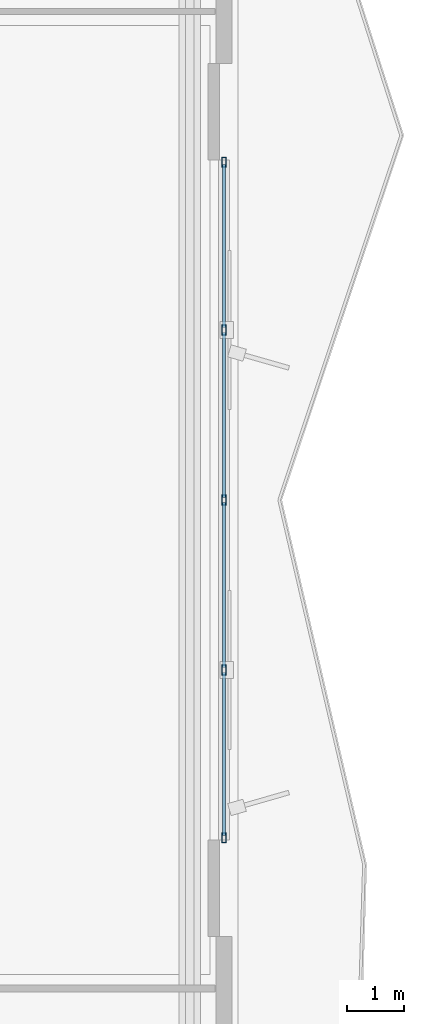
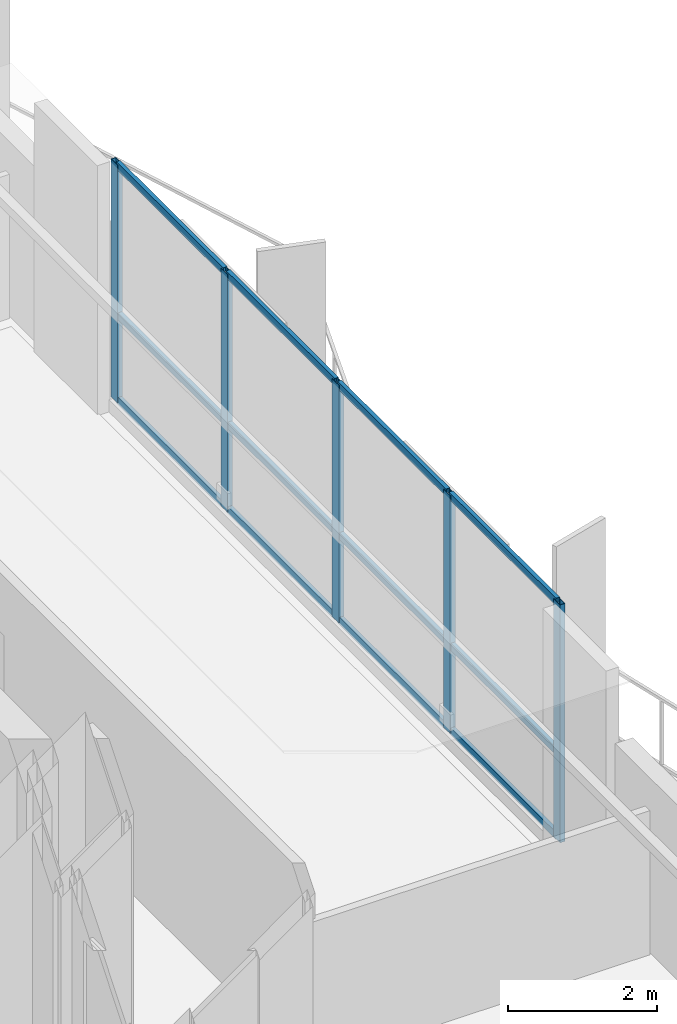
# One storey, part 6 of 16: 17 members, 1 element without a shape of its own.
"""IFC4 building model written with IfcOpenShell, lengths in metres."""

import ifcopenshell
import ifcopenshell.guid

model = None  # the IFC model being written
_history = None  # IfcOwnerHistory: only IFC2X3 demands one
_inside = {}  # id of a spatial element -> (the spatial element, [elements in it])
_under = {}  # id of a project, library or spatial element -> (it, [spatial elements below it])
_declared = {}  # id of a project -> (the project, [libraries it declares])
_typed = {}  # id of a type object -> (the type object, [elements of that type])
_made_of = {}  # id of a material, layer set ... -> (it, [elements and type objects made of it])


def new_model(schema):
    """Start an empty IFC model of exactly this schema.

    Asked for "IFC4X3", IfcOpenShell would pick the latest addendum, in which some entities
    have other attributes; the version numbers below select the first issue.
    IFC2X3 requires an IfcOwnerHistory on every rooted entity: one is made here for all.
    """
    global model, _history
    if schema == "IFC4X3":
        model = ifcopenshell.file(schema_version=(4, 3, 0, 0))
    else:
        model = ifcopenshell.file(schema=schema)
    _inside.clear()
    _under.clear()
    _declared.clear()
    _typed.clear()
    _made_of.clear()
    _history = None
    if model.schema == "IFC2X3":
        org = make("IfcOrganization", Name="unknown")
        user = make(
            "IfcPersonAndOrganization",
            ThePerson=make("IfcPerson", FamilyName="unknown"),
            TheOrganization=org,
        )
        app = make(
            "IfcApplication",
            ApplicationDeveloper=org,
            Version="unknown",
            ApplicationFullName="unknown",
            ApplicationIdentifier="unknown",
        )
        _history = make(
            "IfcOwnerHistory",
            OwningUser=user,
            OwningApplication=app,
            ChangeAction="ADDED",
            CreationDate=0,
        )
    return model


def make(cls, **values):
    """One entity of the class cls with the attributes given. An attribute that is None is left unset."""
    return model.create_entity(
        cls, **{name: value for name, value in values.items() if value is not None}
    )


def rooted(cls, **values):
    """An entity with a GlobalId (a new one), such as an element, a storey or a relation."""
    return make(cls, GlobalId=ifcopenshell.guid.new(), OwnerHistory=_history, **values)


def si_unit(unit_type, name, prefix=None):
    """IfcSIUnit, for example si_unit("LENGTHUNIT", "METRE", prefix="MILLI")."""
    return make("IfcSIUnit", UnitType=unit_type, Prefix=prefix, Name=name)


def assignment(units):
    """IfcUnitAssignment: the units of a project."""
    return None if units is None else make("IfcUnitAssignment", Units=units)


def point(xyz):
    """IfcCartesianPoint."""
    return None if xyz is None else make("IfcCartesianPoint", Coordinates=xyz)


def direction(xyz):
    """IfcDirection."""
    return None if xyz is None else make("IfcDirection", DirectionRatios=xyz)


def frame(location, z_axis=None, x_axis=None):
    """IfcAxis2Placement3D, a coordinate frame: its origin and axes. An axis left out is left unset."""
    return make(
        "IfcAxis2Placement3D",
        Location=point(location),
        Axis=direction(z_axis),
        RefDirection=direction(x_axis),
    )


def frame_2d(location, x_axis=None):
    """IfcAxis2Placement2D, a coordinate frame in the plane: its origin and x axis."""
    return make(
        "IfcAxis2Placement2D", Location=point(location), RefDirection=direction(x_axis)
    )


def origin():
    """The frame at (0, 0, 0) with its axes left unset."""
    return frame((0.0, 0.0, 0.0))


def origin_2d():
    """The frame at (0, 0) in the plane with its x axis left unset."""
    return frame_2d((0.0, 0.0))


def place(relative_to, where):
    """IfcLocalPlacement: puts the frame where relative to a parent placement (None: the world)."""
    return make(
        "IfcLocalPlacement", PlacementRelTo=relative_to, RelativePlacement=where
    )


def context(
    kind, dimensions, precision=None, world=None, true_north=None, identifier=None
):
    """IfcGeometricRepresentationContext, for example the 3D "Model" context."""
    return make(
        "IfcGeometricRepresentationContext",
        ContextIdentifier=identifier,
        ContextType=kind,
        CoordinateSpaceDimension=dimensions,
        Precision=precision,
        WorldCoordinateSystem=world,
        TrueNorth=true_north,
    )


def subcontext(parent, identifier, kind, view, scale=None):
    """IfcGeometricRepresentationSubContext, for example "Body" below "Model"."""
    return make(
        "IfcGeometricRepresentationSubContext",
        ContextIdentifier=identifier,
        ContextType=kind,
        ParentContext=parent,
        TargetScale=scale,
        TargetView=view,
    )


def project(units=None, contexts=None):
    """IfcProject with its units and contexts."""
    return rooted(
        "IfcProject",
        Name="project",
        RepresentationContexts=contexts,
        UnitsInContext=assignment(units),
    )


def spatial(cls, under=None, at=None, **own):
    """A site, building, storey or space (cls), placed at a placement, below another one or the project."""
    s = rooted(cls, ObjectPlacement=at, **own)
    if under is not None:
        _under.setdefault(under.id(), (under, []))[1].append(s)
    return s


def profile(cls, at=None, kind="AREA", **sizes):
    """A parametric profile (cls). Its sizes go by their IFC names, for example OverallWidth=200.0."""
    return make(cls, ProfileType=kind, Position=at, **sizes)


def hollow_rectangle(**sizes):
    """IfcRectangleHollowProfileDef."""
    return profile("IfcRectangleHollowProfileDef", **sizes)


def extrude(swept, where, along, depth):
    """IfcExtrudedAreaSolid: the profile swept, set in the frame where, extruded along a direction by depth."""
    return make(
        "IfcExtrudedAreaSolid",
        SweptArea=swept,
        Position=where,
        ExtrudedDirection=direction(along),
        Depth=depth,
    )


def shape(context_of_items, identifier, shape_type, items):
    """IfcShapeRepresentation: the items that make up one representation, for example the "Body"."""
    return make(
        "IfcShapeRepresentation",
        ContextOfItems=context_of_items,
        RepresentationIdentifier=identifier,
        RepresentationType=shape_type,
        Items=items,
    )


def material(Name=None, Category=None):
    """IfcMaterial."""
    return make("IfcMaterial", Name=Name, Category=Category)


def layer(
    of_material, thickness, ventilated=None, Name=None, Category=None, Priority=None
):
    """IfcMaterialLayer: one layer of a wall or slab, of a material (None: an air gap)."""
    return make(
        "IfcMaterialLayer",
        Material=of_material,
        LayerThickness=thickness,
        IsVentilated=ventilated,
        Name=Name,
        Category=Category,
        Priority=Priority,
    )


def layer_set(layers, Name=None):
    """IfcMaterialLayerSet."""
    return make("IfcMaterialLayerSet", MaterialLayers=layers, LayerSetName=Name)


def material_profile(
    of_material, cross_section, Name=None, Category=None, Priority=None
):
    """IfcMaterialProfile: a cross section and its material."""
    return make(
        "IfcMaterialProfile",
        Name=Name,
        Material=of_material,
        Profile=cross_section,
        Priority=Priority,
        Category=Category,
    )


def profile_set(profiles, Name=None, composite=None):
    """IfcMaterialProfileSet."""
    return make(
        "IfcMaterialProfileSet",
        Name=Name,
        MaterialProfiles=profiles,
        CompositeProfile=composite,
    )


def made_of(thing, what):
    """Note that an element or type object is made of a material, layer set ...; save() writes the relation."""
    if what is not None:
        _made_of.setdefault(what.id(), (what, []))[1].append(thing)
    return thing


def type_object(cls, material=None, **own):
    """A type object (cls), such as IfcWallType, which elements share."""
    return made_of(rooted(cls, **own), material)


def element(
    cls,
    number,
    at=None,
    inside=None,
    cuts=None,
    type_object=None,
    material=None,
    context=None,
    identifier="Body",
    shape_type=None,
    held_by="IfcProductDefinitionShape",
    body=None,
    shapes=None,
    **own,
):
    """One element of the class cls, such as IfcWall. Its Tag is "e" and its number.

    at: its placement. inside: the storey or other place that contains it. cuts: it is an
    opening in that element (IfcRelVoidsElement). A single representation is given by context,
    identifier, shape_type and body (its items); several are given by shapes. held_by: the class
    of the entity that holds the representations. save() writes the other relations.
    """
    e = rooted(cls, Tag="e%d" % number, ObjectPlacement=at, **own)
    if body is not None:
        shapes = [shape(context, identifier, shape_type, body)]
    if shapes is not None:
        e.Representation = make(held_by, Representations=shapes)
    if inside is not None:
        _inside.setdefault(inside.id(), (inside, []))[1].append(e)
    if cuts is not None:
        rooted(
            "IfcRelVoidsElement", RelatingBuildingElement=cuts, RelatedOpeningElement=e
        )
    if type_object is not None:
        _typed.setdefault(type_object.id(), (type_object, []))[1].append(e)
    return made_of(e, material)


def aggregate(whole, parts):
    """IfcRelAggregates: a whole, such as a stair, and the parts it consists of."""
    return rooted("IfcRelAggregates", RelatingObject=whole, RelatedObjects=parts)


def save(model, path):
    """Write the relations noted so far, then the file.

    IfcRelAggregates (storeys below a building ...), IfcRelContainedInSpatialStructure (elements
    in a storey), IfcRelDefinesByType, IfcRelAssociatesMaterial and IfcRelDeclares: one each for
    every whole, place, type object, material and project.
    """
    for whole, parts in _under.values():
        aggregate(whole, parts)
    for where, things in _inside.values():
        rooted(
            "IfcRelContainedInSpatialStructure",
            RelatedElements=things,
            RelatingStructure=where,
        )
    for kind, things in _typed.values():
        rooted("IfcRelDefinesByType", RelatedObjects=things, RelatingType=kind)
    for what, things in _made_of.values():
        rooted("IfcRelAssociatesMaterial", RelatedObjects=things, RelatingMaterial=what)
    for by, libraries in _declared.values():
        rooted("IfcRelDeclares", RelatingContext=by, RelatedDefinitions=libraries)
    model.write(path)


model = new_model("IFC4")

# Units and contexts
model_context = context("Model", 3, precision=1e-05, world=origin(), true_north=direction((0.0, 1.0)))
body_context = subcontext(model_context, "Body", "Model", "MODEL_VIEW")
ifc_project = project(units=[si_unit("LENGTHUNIT", "METRE"), si_unit("AREAUNIT", "SQUARE_METRE"), si_unit("VOLUMEUNIT", "CUBIC_METRE"), si_unit("PLANEANGLEUNIT", "RADIAN"), si_unit("MASSUNIT", "GRAM", prefix="KILO")], contexts=[model_context])

# Site, building, storey
site_placement = place(None, origin())
site = spatial("IfcSite", under=ifc_project, at=site_placement, CompositionType="ELEMENT")
building_placement = place(site_placement, origin())
building = spatial("IfcBuilding", under=site, at=building_placement, Name="Mersakhor Tower and Convention Hall", CompositionType="ELEMENT")
storey_placement = place(building_placement, frame((0.0, 0.0, 62.10009765625)))
storey = spatial("IfcBuildingStorey", under=building, at=storey_placement, Name="L17", CompositionType="ELEMENT", Elevation=62.10009765625)

# Curtain wall, members
ifc_material_1 = material(Name="Dark solar low-E aluminium curtain wall", Category="aluminium")
ifc_layer = layer(ifc_material_1, 0.199951171875)
ifc_layer_set = layer_set([ifc_layer], Name="Dark solar low-E aluminium curtain wall")
curtain_wall_type = type_object("IfcCurtainWallType", Name="CW-SYS-05", PredefinedType="USERDEFINED", material=ifc_layer_set)
curtain_wall_placement = place(storey_placement, origin())
curtain_wall = element("IfcCurtainWall", 1, at=curtain_wall_placement, inside=storey, type_object=curtain_wall_type, Name="L17 Dark-Glass Curtain Wall F2-B2", ObjectType="CURTAIN WALL", PredefinedType="USERDEFINED")
ifc_material_2 = material(Name="Anodised aluminium EN AW-6063 T6", Category="aluminium")
ifc_material_profile_1 = material_profile(ifc_material_2, hollow_rectangle(XDim=0.080078125, YDim=0.179931640625, WallThickness=0.008056640625, at=origin_2d()), Name="RHS 180x80x8")
ifc_profile_set_1 = profile_set([ifc_material_profile_1], Name="Anodised aluminium EN AW-6063 T6")
member_type_1 = type_object("IfcMemberType", Name="CWM-180x80", PredefinedType="MULLION", material=ifc_profile_set_1)
member_1_placement = place(storey_placement, frame((43.85009765625, 32.696533203125, 0.199951171875), z_axis=(0.0, 0.0, 1.0), x_axis=(1.0, 0.0, 0.0)))
member_1 = element("IfcMember", 2, at=member_1_placement, type_object=member_type_1, Name="CW-05 mullion 1", PredefinedType="MULLION", context=body_context, shape_type="SweptSolid", body=[
    extrude(hollow_rectangle(XDim=0.080078125, YDim=0.179931640625, WallThickness=0.008056640625, at=origin_2d()), origin(), (0.0, 0.0, 1.0), 3.89990234375),
])
member_2_placement = place(storey_placement, frame((43.85009765625, 29.743408203125, 0.199951171875), z_axis=(0.0, 0.0, 1.0), x_axis=(1.0, 0.0, 0.0)))
member_2 = element("IfcMember", 3, at=member_2_placement, type_object=member_type_1, Name="CW-05 mullion 2", PredefinedType="MULLION", context=body_context, shape_type="SweptSolid", body=[
    extrude(hollow_rectangle(XDim=0.080078125, YDim=0.179931640625, WallThickness=0.008056640625, at=origin_2d()), origin(), (0.0, 0.0, 1.0), 3.89990234375),
])
member_3_placement = place(storey_placement, frame((43.85009765625, 26.75, 0.199951171875), z_axis=(0.0, 0.0, 1.0), x_axis=(1.0, 0.0, 0.0)))
member_3 = element("IfcMember", 4, at=member_3_placement, type_object=member_type_1, Name="CW-05 mullion 3", PredefinedType="MULLION", context=body_context, shape_type="SweptSolid", body=[
    extrude(hollow_rectangle(XDim=0.080078125, YDim=0.179931640625, WallThickness=0.008056640625, at=origin_2d()), origin(), (0.0, 0.0, 1.0), 3.89990234375),
])
member_4_placement = place(storey_placement, frame((43.85009765625, 23.756591796875, 0.199951171875), z_axis=(0.0, 0.0, 1.0), x_axis=(1.0, 0.0, 0.0)))
member_4 = element("IfcMember", 5, at=member_4_placement, type_object=member_type_1, Name="CW-05 mullion 4", PredefinedType="MULLION", context=body_context, shape_type="SweptSolid", body=[
    extrude(hollow_rectangle(XDim=0.080078125, YDim=0.179931640625, WallThickness=0.008056640625, at=origin_2d()), origin(), (0.0, 0.0, 1.0), 3.89990234375),
])
member_5_placement = place(storey_placement, frame((43.85009765625, 20.803466796875, 0.199951171875), z_axis=(0.0, 0.0, 1.0), x_axis=(1.0, 0.0, 0.0)))
member_5 = element("IfcMember", 6, at=member_5_placement, type_object=member_type_1, Name="CW-05 mullion 5", PredefinedType="MULLION", context=body_context, shape_type="SweptSolid", body=[
    extrude(hollow_rectangle(XDim=0.080078125, YDim=0.179931640625, WallThickness=0.008056640625, at=origin_2d()), origin(), (0.0, 0.0, 1.0), 3.89990234375),
])
ifc_material_3 = material(Name="Anodised aluminium EN AW-6063 T6", Category="aluminium")
ifc_material_profile_2 = material_profile(ifc_material_3, hollow_rectangle(XDim=0.06005859375, YDim=0.1201171875, WallThickness=0.0048828125, at=origin_2d()), Name="RHS 120x60x5")
ifc_profile_set_2 = profile_set([ifc_material_profile_2], Name="Anodised aluminium EN AW-6063 T6")
member_type_2 = type_object("IfcMemberType", Name="CWT-120x60", PredefinedType="USERDEFINED", material=ifc_profile_set_2)
member_6_placement = place(storey_placement, frame((43.85009765625, 32.656494140625, 0.22998046875), z_axis=(0.0, -1.0, 0.0), x_axis=(1.0, 0.0, 0.0)))
member_6 = element("IfcMember", 7, at=member_6_placement, type_object=member_type_2, Name="CW-05 transom 1.1", ObjectType="TRANSOM", PredefinedType="USERDEFINED", context=body_context, shape_type="SweptSolid", body=[
    extrude(hollow_rectangle(XDim=0.06005859375, YDim=0.1201171875, WallThickness=0.0048828125, at=origin_2d()), origin(), (0.0, 0.0, 1.0), 2.873291015625),
])
member_7_placement = place(storey_placement, frame((43.85009765625, 32.656494140625, 1.619873046875), z_axis=(0.0, -1.0, 0.0), x_axis=(1.0, 0.0, 0.0)))
member_7 = element("IfcMember", 8, at=member_7_placement, type_object=member_type_2, Name="CW-05 transom 1.2", ObjectType="TRANSOM", PredefinedType="USERDEFINED", context=body_context, shape_type="SweptSolid", body=[
    extrude(hollow_rectangle(XDim=0.06005859375, YDim=0.1201171875, WallThickness=0.0048828125, at=origin_2d()), origin(), (0.0, 0.0, 1.0), 2.873291015625),
])
member_8_placement = place(storey_placement, frame((43.85009765625, 32.656494140625, 4.06982421875), z_axis=(0.0, -1.0, 0.0), x_axis=(1.0, 0.0, 0.0)))
member_8 = element("IfcMember", 9, at=member_8_placement, type_object=member_type_2, Name="CW-05 transom 1.3", ObjectType="TRANSOM", PredefinedType="USERDEFINED", context=body_context, shape_type="SweptSolid", body=[
    extrude(hollow_rectangle(XDim=0.06005859375, YDim=0.1201171875, WallThickness=0.0048828125, at=origin_2d()), origin(), (0.0, 0.0, 1.0), 2.873291015625),
])
member_9_placement = place(storey_placement, frame((43.85009765625, 29.703369140625, 0.22998046875), z_axis=(0.0, -1.0, 0.0), x_axis=(1.0, 0.0, 0.0)))
member_9 = element("IfcMember", 10, at=member_9_placement, type_object=member_type_2, Name="CW-05 transom 2.1", ObjectType="TRANSOM", PredefinedType="USERDEFINED", context=body_context, shape_type="SweptSolid", body=[
    extrude(hollow_rectangle(XDim=0.06005859375, YDim=0.1201171875, WallThickness=0.0048828125, at=origin_2d()), origin(), (0.0, 0.0, 1.0), 2.913330078125),
])
member_10_placement = place(storey_placement, frame((43.85009765625, 29.703369140625, 1.619873046875), z_axis=(0.0, -1.0, 0.0), x_axis=(1.0, 0.0, 0.0)))
member_10 = element("IfcMember", 11, at=member_10_placement, type_object=member_type_2, Name="CW-05 transom 2.2", ObjectType="TRANSOM", PredefinedType="USERDEFINED", context=body_context, shape_type="SweptSolid", body=[
    extrude(hollow_rectangle(XDim=0.06005859375, YDim=0.1201171875, WallThickness=0.0048828125, at=origin_2d()), origin(), (0.0, 0.0, 1.0), 2.913330078125),
])
member_11_placement = place(storey_placement, frame((43.85009765625, 29.703369140625, 4.06982421875), z_axis=(0.0, -1.0, 0.0), x_axis=(1.0, 0.0, 0.0)))
member_11 = element("IfcMember", 12, at=member_11_placement, type_object=member_type_2, Name="CW-05 transom 2.3", ObjectType="TRANSOM", PredefinedType="USERDEFINED", context=body_context, shape_type="SweptSolid", body=[
    extrude(hollow_rectangle(XDim=0.06005859375, YDim=0.1201171875, WallThickness=0.0048828125, at=origin_2d()), origin(), (0.0, 0.0, 1.0), 2.913330078125),
])
member_12_placement = place(storey_placement, frame((43.85009765625, 26.7099609375, 0.22998046875), z_axis=(0.0, -1.0, 0.0), x_axis=(1.0, 0.0, 0.0)))
member_12 = element("IfcMember", 13, at=member_12_placement, type_object=member_type_2, Name="CW-05 transom 3.1", ObjectType="TRANSOM", PredefinedType="USERDEFINED", context=body_context, shape_type="SweptSolid", body=[
    extrude(hollow_rectangle(XDim=0.06005859375, YDim=0.1201171875, WallThickness=0.0048828125, at=origin_2d()), origin(), (0.0, 0.0, 1.0), 2.913330078125),
])
member_13_placement = place(storey_placement, frame((43.85009765625, 26.7099609375, 1.619873046875), z_axis=(0.0, -1.0, 0.0), x_axis=(1.0, 0.0, 0.0)))
member_13 = element("IfcMember", 14, at=member_13_placement, type_object=member_type_2, Name="CW-05 transom 3.2", ObjectType="TRANSOM", PredefinedType="USERDEFINED", context=body_context, shape_type="SweptSolid", body=[
    extrude(hollow_rectangle(XDim=0.06005859375, YDim=0.1201171875, WallThickness=0.0048828125, at=origin_2d()), origin(), (0.0, 0.0, 1.0), 2.913330078125),
])
member_14_placement = place(storey_placement, frame((43.85009765625, 26.7099609375, 4.06982421875), z_axis=(0.0, -1.0, 0.0), x_axis=(1.0, 0.0, 0.0)))
member_14 = element("IfcMember", 15, at=member_14_placement, type_object=member_type_2, Name="CW-05 transom 3.3", ObjectType="TRANSOM", PredefinedType="USERDEFINED", context=body_context, shape_type="SweptSolid", body=[
    extrude(hollow_rectangle(XDim=0.06005859375, YDim=0.1201171875, WallThickness=0.0048828125, at=origin_2d()), origin(), (0.0, 0.0, 1.0), 2.913330078125),
])
member_15_placement = place(storey_placement, frame((43.85009765625, 23.716796875, 0.22998046875), z_axis=(0.0, -1.0, 0.0), x_axis=(1.0, 0.0, 0.0)))
member_15 = element("IfcMember", 16, at=member_15_placement, type_object=member_type_2, Name="CW-05 transom 4.1", ObjectType="TRANSOM", PredefinedType="USERDEFINED", context=body_context, shape_type="SweptSolid", body=[
    extrude(hollow_rectangle(XDim=0.06005859375, YDim=0.1201171875, WallThickness=0.0048828125, at=origin_2d()), origin(), (0.0, 0.0, 1.0), 2.873291015625),
])
member_16_placement = place(storey_placement, frame((43.85009765625, 23.716796875, 1.619873046875), z_axis=(0.0, -1.0, 0.0), x_axis=(1.0, 0.0, 0.0)))
member_16 = element("IfcMember", 17, at=member_16_placement, type_object=member_type_2, Name="CW-05 transom 4.2", ObjectType="TRANSOM", PredefinedType="USERDEFINED", context=body_context, shape_type="SweptSolid", body=[
    extrude(hollow_rectangle(XDim=0.06005859375, YDim=0.1201171875, WallThickness=0.0048828125, at=origin_2d()), origin(), (0.0, 0.0, 1.0), 2.873291015625),
])
member_17_placement = place(storey_placement, frame((43.85009765625, 23.716796875, 4.06982421875), z_axis=(0.0, -1.0, 0.0), x_axis=(1.0, 0.0, 0.0)))
member_17 = element("IfcMember", 18, at=member_17_placement, type_object=member_type_2, Name="CW-05 transom 4.3", ObjectType="TRANSOM", PredefinedType="USERDEFINED", context=body_context, shape_type="SweptSolid", body=[
    extrude(hollow_rectangle(XDim=0.06005859375, YDim=0.1201171875, WallThickness=0.0048828125, at=origin_2d()), origin(), (0.0, 0.0, 1.0), 2.873291015625),
])
aggregate(curtain_wall, [member_1, member_2, member_3, member_4, member_5, member_6, member_7, member_8, member_9, member_10, member_11, member_12, member_13, member_14, member_15, member_16, member_17])

save(model, "model.ifc")
